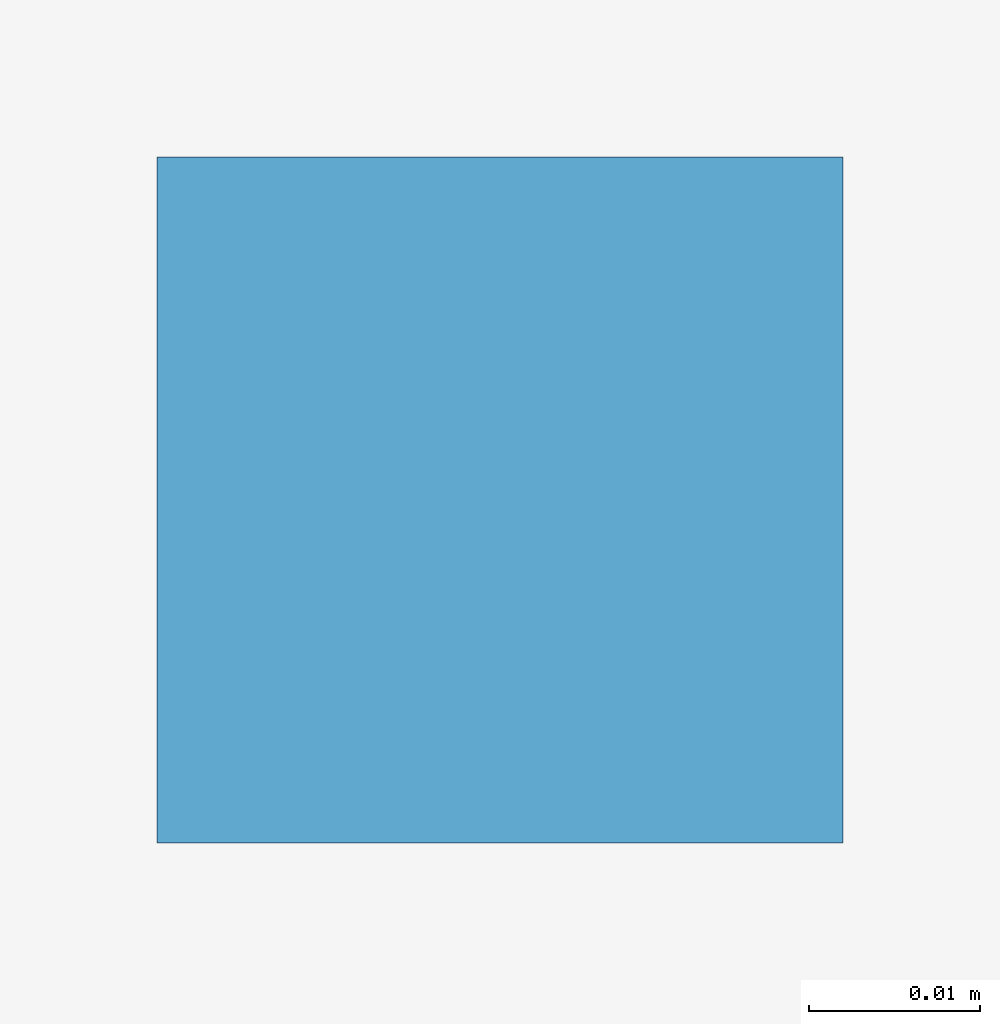
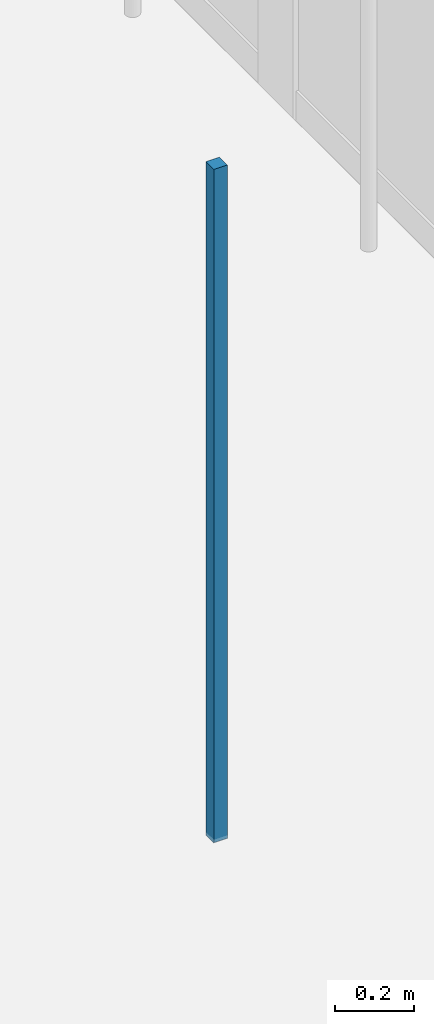
# One storey, part 106 of 157: 1 discrete accessory.
"""IFC4 building model written with IfcOpenShell, lengths in metres."""

import ifcopenshell
import ifcopenshell.guid

model = None  # the IFC model being written
_history = None  # IfcOwnerHistory: only IFC2X3 demands one
_inside = {}  # id of a spatial element -> (the spatial element, [elements in it])
_under = {}  # id of a project, library or spatial element -> (it, [spatial elements below it])
_declared = {}  # id of a project -> (the project, [libraries it declares])
_typed = {}  # id of a type object -> (the type object, [elements of that type])
_made_of = {}  # id of a material, layer set ... -> (it, [elements and type objects made of it])


def new_model(schema):
    """Start an empty IFC model of exactly this schema.

    Asked for "IFC4X3", IfcOpenShell would pick the latest addendum, in which some entities
    have other attributes; the version numbers below select the first issue.
    IFC2X3 requires an IfcOwnerHistory on every rooted entity: one is made here for all.
    """
    global model, _history
    if schema == "IFC4X3":
        model = ifcopenshell.file(schema_version=(4, 3, 0, 0))
    else:
        model = ifcopenshell.file(schema=schema)
    _inside.clear()
    _under.clear()
    _declared.clear()
    _typed.clear()
    _made_of.clear()
    _history = None
    if model.schema == "IFC2X3":
        org = make("IfcOrganization", Name="unknown")
        user = make(
            "IfcPersonAndOrganization",
            ThePerson=make("IfcPerson", FamilyName="unknown"),
            TheOrganization=org,
        )
        app = make(
            "IfcApplication",
            ApplicationDeveloper=org,
            Version="unknown",
            ApplicationFullName="unknown",
            ApplicationIdentifier="unknown",
        )
        _history = make(
            "IfcOwnerHistory",
            OwningUser=user,
            OwningApplication=app,
            ChangeAction="ADDED",
            CreationDate=0,
        )
    return model


def make(cls, **values):
    """One entity of the class cls with the attributes given. An attribute that is None is left unset."""
    return model.create_entity(
        cls, **{name: value for name, value in values.items() if value is not None}
    )


def rooted(cls, **values):
    """An entity with a GlobalId (a new one), such as an element, a storey or a relation."""
    return make(cls, GlobalId=ifcopenshell.guid.new(), OwnerHistory=_history, **values)


def si_unit(unit_type, name, prefix=None):
    """IfcSIUnit, for example si_unit("LENGTHUNIT", "METRE", prefix="MILLI")."""
    return make("IfcSIUnit", UnitType=unit_type, Prefix=prefix, Name=name)


def assignment(units):
    """IfcUnitAssignment: the units of a project."""
    return None if units is None else make("IfcUnitAssignment", Units=units)


def point(xyz):
    """IfcCartesianPoint."""
    return None if xyz is None else make("IfcCartesianPoint", Coordinates=xyz)


def direction(xyz):
    """IfcDirection."""
    return None if xyz is None else make("IfcDirection", DirectionRatios=xyz)


def frame(location, z_axis=None, x_axis=None):
    """IfcAxis2Placement3D, a coordinate frame: its origin and axes. An axis left out is left unset."""
    return make(
        "IfcAxis2Placement3D",
        Location=point(location),
        Axis=direction(z_axis),
        RefDirection=direction(x_axis),
    )


def frame_2d(location, x_axis=None):
    """IfcAxis2Placement2D, a coordinate frame in the plane: its origin and x axis."""
    return make(
        "IfcAxis2Placement2D", Location=point(location), RefDirection=direction(x_axis)
    )


def origin():
    """The frame at (0, 0, 0) with its axes left unset."""
    return frame((0.0, 0.0, 0.0))


def origin_2d():
    """The frame at (0, 0) in the plane with its x axis left unset."""
    return frame_2d((0.0, 0.0))


def place(relative_to, where):
    """IfcLocalPlacement: puts the frame where relative to a parent placement (None: the world)."""
    return make(
        "IfcLocalPlacement", PlacementRelTo=relative_to, RelativePlacement=where
    )


def context(
    kind, dimensions, precision=None, world=None, true_north=None, identifier=None
):
    """IfcGeometricRepresentationContext, for example the 3D "Model" context."""
    return make(
        "IfcGeometricRepresentationContext",
        ContextIdentifier=identifier,
        ContextType=kind,
        CoordinateSpaceDimension=dimensions,
        Precision=precision,
        WorldCoordinateSystem=world,
        TrueNorth=true_north,
    )


def subcontext(parent, identifier, kind, view, scale=None):
    """IfcGeometricRepresentationSubContext, for example "Body" below "Model"."""
    return make(
        "IfcGeometricRepresentationSubContext",
        ContextIdentifier=identifier,
        ContextType=kind,
        ParentContext=parent,
        TargetScale=scale,
        TargetView=view,
    )


def project(units=None, contexts=None):
    """IfcProject with its units and contexts."""
    return rooted(
        "IfcProject",
        Name="project",
        RepresentationContexts=contexts,
        UnitsInContext=assignment(units),
    )


def spatial(cls, under=None, at=None, **own):
    """A site, building, storey or space (cls), placed at a placement, below another one or the project."""
    s = rooted(cls, ObjectPlacement=at, **own)
    if under is not None:
        _under.setdefault(under.id(), (under, []))[1].append(s)
    return s


def profile(cls, at=None, kind="AREA", **sizes):
    """A parametric profile (cls). Its sizes go by their IFC names, for example OverallWidth=200.0."""
    return make(cls, ProfileType=kind, Position=at, **sizes)


def rectangle(**sizes):
    """IfcRectangleProfileDef."""
    return profile("IfcRectangleProfileDef", **sizes)


def extrude(swept, where, along, depth):
    """IfcExtrudedAreaSolid: the profile swept, set in the frame where, extruded along a direction by depth."""
    return make(
        "IfcExtrudedAreaSolid",
        SweptArea=swept,
        Position=where,
        ExtrudedDirection=direction(along),
        Depth=depth,
    )


def shape(context_of_items, identifier, shape_type, items):
    """IfcShapeRepresentation: the items that make up one representation, for example the "Body"."""
    return make(
        "IfcShapeRepresentation",
        ContextOfItems=context_of_items,
        RepresentationIdentifier=identifier,
        RepresentationType=shape_type,
        Items=items,
    )


def material(Name=None, Category=None):
    """IfcMaterial."""
    return make("IfcMaterial", Name=Name, Category=Category)


def made_of(thing, what):
    """Note that an element or type object is made of a material, layer set ...; save() writes the relation."""
    if what is not None:
        _made_of.setdefault(what.id(), (what, []))[1].append(thing)
    return thing


def type_object(cls, material=None, **own):
    """A type object (cls), such as IfcWallType, which elements share."""
    return made_of(rooted(cls, **own), material)


def element(
    cls,
    number,
    at=None,
    inside=None,
    cuts=None,
    type_object=None,
    material=None,
    context=None,
    identifier="Body",
    shape_type=None,
    held_by="IfcProductDefinitionShape",
    body=None,
    shapes=None,
    **own,
):
    """One element of the class cls, such as IfcWall. Its Tag is "e" and its number.

    at: its placement. inside: the storey or other place that contains it. cuts: it is an
    opening in that element (IfcRelVoidsElement). A single representation is given by context,
    identifier, shape_type and body (its items); several are given by shapes. held_by: the class
    of the entity that holds the representations. save() writes the other relations.
    """
    e = rooted(cls, Tag="e%d" % number, ObjectPlacement=at, **own)
    if body is not None:
        shapes = [shape(context, identifier, shape_type, body)]
    if shapes is not None:
        e.Representation = make(held_by, Representations=shapes)
    if inside is not None:
        _inside.setdefault(inside.id(), (inside, []))[1].append(e)
    if cuts is not None:
        rooted(
            "IfcRelVoidsElement", RelatingBuildingElement=cuts, RelatedOpeningElement=e
        )
    if type_object is not None:
        _typed.setdefault(type_object.id(), (type_object, []))[1].append(e)
    return made_of(e, material)


def aggregate(whole, parts):
    """IfcRelAggregates: a whole, such as a stair, and the parts it consists of."""
    return rooted("IfcRelAggregates", RelatingObject=whole, RelatedObjects=parts)


def save(model, path):
    """Write the relations noted so far, then the file.

    IfcRelAggregates (storeys below a building ...), IfcRelContainedInSpatialStructure (elements
    in a storey), IfcRelDefinesByType, IfcRelAssociatesMaterial and IfcRelDeclares: one each for
    every whole, place, type object, material and project.
    """
    for whole, parts in _under.values():
        aggregate(whole, parts)
    for where, things in _inside.values():
        rooted(
            "IfcRelContainedInSpatialStructure",
            RelatedElements=things,
            RelatingStructure=where,
        )
    for kind, things in _typed.values():
        rooted("IfcRelDefinesByType", RelatedObjects=things, RelatingType=kind)
    for what, things in _made_of.values():
        rooted("IfcRelAssociatesMaterial", RelatedObjects=things, RelatingMaterial=what)
    for by, libraries in _declared.values():
        rooted("IfcRelDeclares", RelatingContext=by, RelatedDefinitions=libraries)
    model.write(path)


model = new_model("IFC4")

# Units and contexts
model_context = context("Model", 3, precision=1e-05, world=origin(), true_north=direction((0.0, 1.0)))
body_context = subcontext(model_context, "Body", "Model", "MODEL_VIEW")
ifc_project = project(units=[si_unit("LENGTHUNIT", "METRE"), si_unit("AREAUNIT", "SQUARE_METRE"), si_unit("VOLUMEUNIT", "CUBIC_METRE"), si_unit("PLANEANGLEUNIT", "RADIAN"), si_unit("MASSUNIT", "GRAM", prefix="KILO")], contexts=[model_context])

# Site, building, storey
site_placement = place(None, origin())
site = spatial("IfcSite", under=ifc_project, at=site_placement, CompositionType="ELEMENT")
building_placement = place(site_placement, origin())
building = spatial("IfcBuilding", under=site, at=building_placement, Name="Varncliffe General Hospital", CompositionType="ELEMENT")
storey_placement = place(building_placement, frame((0.0, 0.0, 5.39990234375)))
storey = spatial("IfcBuildingStorey", under=building, at=storey_placement, Name="L01", CompositionType="ELEMENT", Elevation=5.39990234375)

# Discrete accessory
ifc_material = material(Name="Powder-coated hospital steel guardrail and handrail", Category="steel")
discrete_accessory_type = type_object("IfcDiscreteAccessoryType", Name="Suspended Ceiling Hanger Bracket CH01", PredefinedType="BRACKET", material=ifc_material)
discrete_accessory_placement = place(storey_placement, frame((63.1298828125, 49.199951171875, 3.18994140625), z_axis=(0.0, 0.0, 1.0), x_axis=(1.0, 0.0, 0.0)))
element("IfcDiscreteAccessory", 1, at=discrete_accessory_placement, inside=storey, type_object=discrete_accessory_type, Name="L01 Suspended Ceiling Hanger 126", PredefinedType="BRACKET", context=body_context, shape_type="SweptSolid", body=[
    extrude(rectangle(XDim=0.0400390625, YDim=0.0400390625, at=origin_2d()), origin(), (0.0, 0.0, 1.0), 2.090087890625),
])

save(model, "model.ifc")
